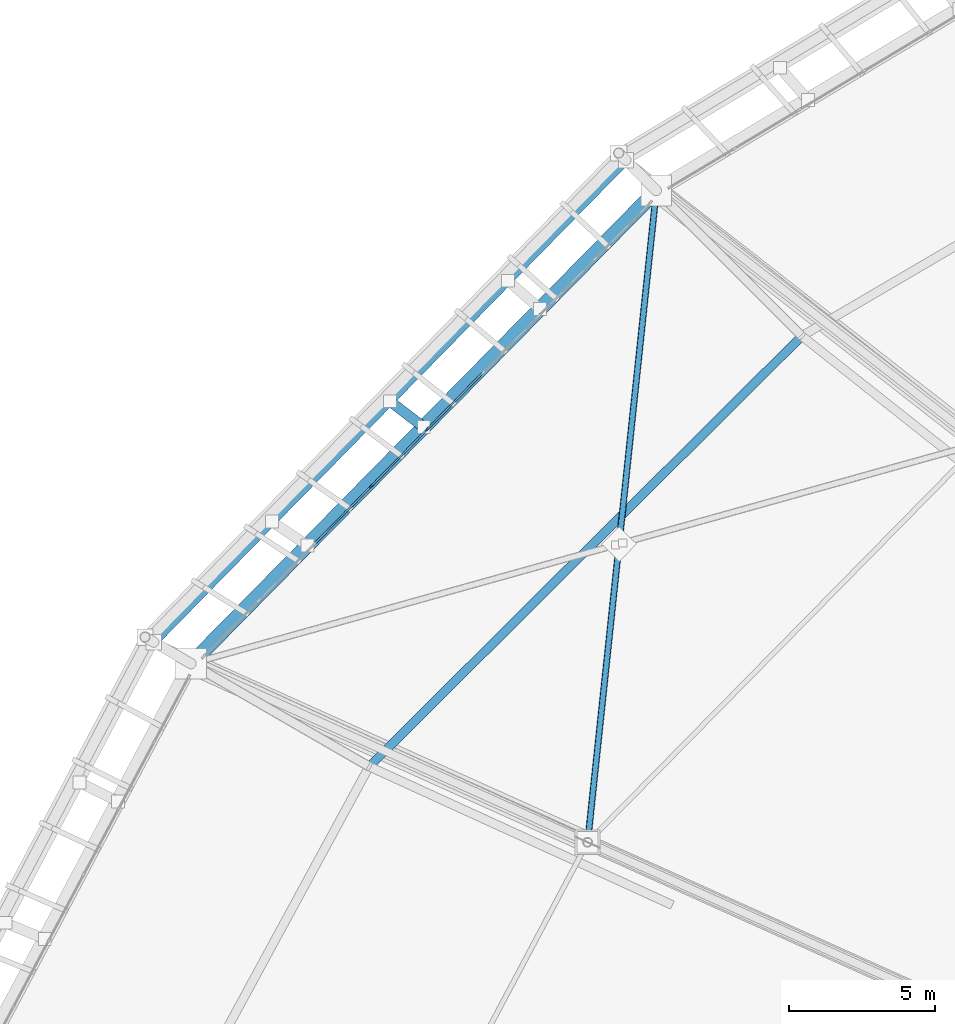
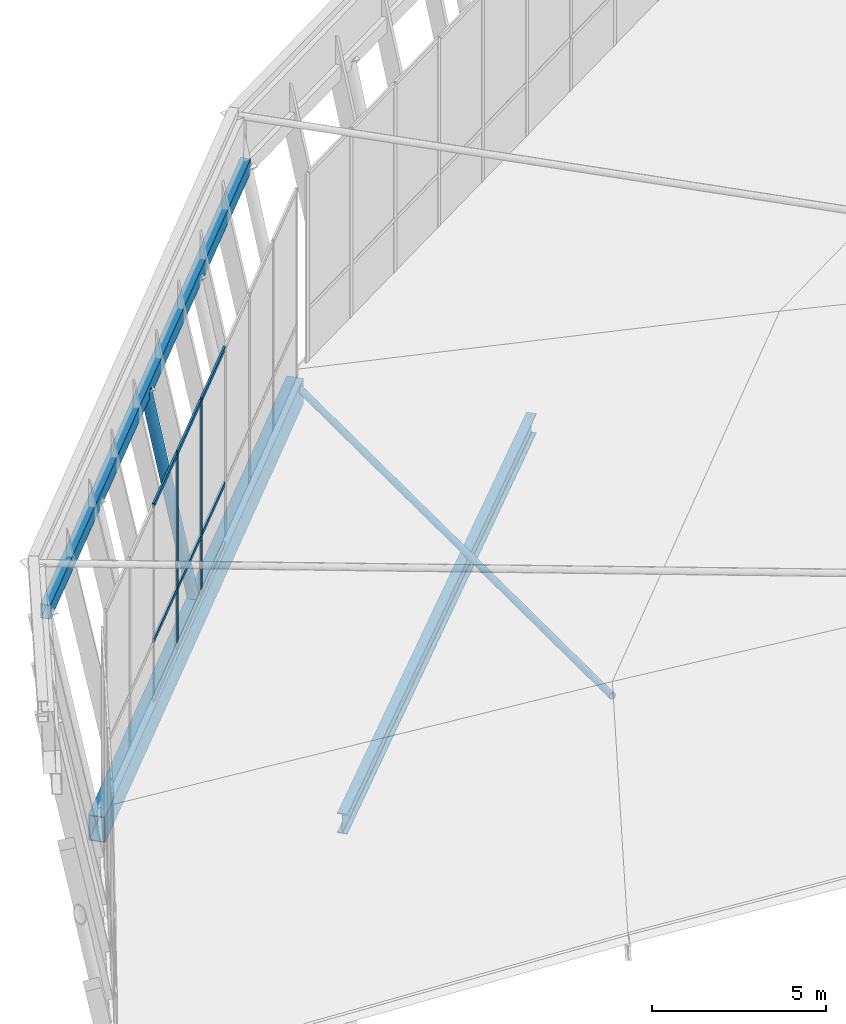
# One storey, part 29 of 115: 13 members, 3 beams, 1 element without a shape of its own.
"""IFC4 building model written with IfcOpenShell, lengths in metres."""

from ifc_helpers import new_model, si_unit, direction, frame, origin, origin_2d, place, context, subcontext, project, spatial, rectangle, hollow_rectangle, hollow_circle, i_section, extrude, material, material_profile, profile_set, type_object, element, aggregate, save


model = new_model("IFC4")

# Units and contexts
model_context = context("Model", 3, precision=1e-05, world=origin(), true_north=direction((0.0, 1.0)))
body_context = subcontext(model_context, "Body", "Model", "MODEL_VIEW")
ifc_project = project(units=[si_unit("LENGTHUNIT", "METRE"), si_unit("AREAUNIT", "SQUARE_METRE"), si_unit("VOLUMEUNIT", "CUBIC_METRE"), si_unit("PLANEANGLEUNIT", "RADIAN"), si_unit("MASSUNIT", "GRAM", prefix="KILO")], contexts=[model_context])

# Site, building, storey
site_placement = place(None, origin())
site = spatial("IfcSite", under=ifc_project, at=site_placement, CompositionType="ELEMENT")
building_placement = place(site_placement, origin())
building = spatial("IfcBuilding", under=site, at=building_placement, Name="Zlatoyarsky Gate Stadium", CompositionType="ELEMENT")
storey_placement = place(building_placement, frame((0.0, 0.0, 31.800048828125)))
storey = spatial("IfcBuildingStorey", under=building, at=storey_placement, Name="RF", CompositionType="ELEMENT", Elevation=31.800048828125)

# Curtain wall, members
ifc_material_1 = material(Name="Thermally broken anodised aluminium curtain wall", Category="aluminium")
curtain_wall_type = type_object("IfcCurtainWallType", Name="UNITISED SKYBOX RING GLAZING L05", PredefinedType="USERDEFINED", material=ifc_material_1)
curtain_wall_placement = place(storey_placement, origin())
curtain_wall = element("IfcCurtainWall", 1, at=curtain_wall_placement, inside=storey, type_object=curtain_wall_type, Name="Curtain wall CW-RF-09", ObjectType="UNITISED GLAZING", PredefinedType="USERDEFINED")
ifc_material_2 = material(Name="Anodised aluminium 6063-T6", Category="aluminium")
ifc_material_profile_1 = material_profile(ifc_material_2, rectangle(XDim=0.06494140625, YDim=0.159912109375, at=origin_2d()), Name="ALU 65X160")
ifc_profile_set_1 = profile_set([ifc_material_profile_1], Name="Anodised aluminium 6063-T6")
member_type_1 = type_object("IfcMemberType", Name="ALUMINIUM MULLION 65X160", PredefinedType="MULLION", material=ifc_profile_set_1)
member_1_placement = place(storey_placement, frame((32.431884765625, 127.00927734375, 0.0), z_axis=(0.0, 0.0, 1.0), x_axis=(0.712766053473, -0.701401848456, 0.0)))
member_1 = element("IfcMember", 2, at=member_1_placement, type_object=member_type_1, Name="CW-UG5 mullion 5", PredefinedType="MULLION", context=body_context, shape_type="SweptSolid", body=[
    extrude(rectangle(XDim=0.06494140625, YDim=0.159912109375, at=origin_2d()), origin(), (0.0, 0.0, 1.0), 6.89990234375),
])
member_2_placement = place(storey_placement, frame((30.517578125, 125.064208984375, 0.0), z_axis=(0.0, 0.0, 1.0), x_axis=(0.712766053473, -0.701401848456, 0.0)))
member_2 = element("IfcMember", 3, at=member_2_placement, type_object=member_type_1, Name="CW-UG5 mullion 6", PredefinedType="MULLION", context=body_context, shape_type="SweptSolid", body=[
    extrude(rectangle(XDim=0.06494140625, YDim=0.159912109375, at=origin_2d()), origin(), (0.0, 0.0, 1.0), 6.89990234375),
])
ifc_material_profile_2 = material_profile(ifc_material_2, rectangle(XDim=0.06494140625, YDim=0.139892578125, at=origin_2d()), Name="ALU 65X140")
ifc_profile_set_2 = profile_set([ifc_material_profile_2], Name="Anodised aluminium 6063-T6")
member_type_2 = type_object("IfcMemberType", Name="ALUMINIUM TRANSOM 65X140", PredefinedType="USERDEFINED", material=ifc_profile_set_2)
member_3_placement = place(storey_placement, frame((34.322998046875, 128.931396484375, 0.032470703125), z_axis=(-0.701355797551, -0.712811367222, 0.0), x_axis=(0.712811367222, -0.701355797551, 0.0)))
member_3 = element("IfcMember", 4, at=member_3_placement, type_object=member_type_2, Name="CW-UG5 transom 4.1", ObjectType="TRANSOM", PredefinedType="USERDEFINED", context=body_context, shape_type="SweptSolid", body=[
    extrude(rectangle(XDim=0.06494140625, YDim=0.139892578125, at=origin_2d()), origin(), (0.0, 0.0, 1.0), 2.6640625),
])
member_4_placement = place(storey_placement, frame((34.322998046875, 128.931396484375, 2.14990234375), z_axis=(-0.701355797551, -0.712811367222, 0.0), x_axis=(0.712811367222, -0.701355797551, 0.0)))
member_4 = element("IfcMember", 5, at=member_4_placement, type_object=member_type_2, Name="CW-UG5 transom 4.2", ObjectType="TRANSOM", PredefinedType="USERDEFINED", context=body_context, shape_type="SweptSolid", body=[
    extrude(rectangle(XDim=0.06494140625, YDim=0.139892578125, at=origin_2d()), origin(), (0.0, 0.0, 1.0), 2.6640625),
])
member_5_placement = place(storey_placement, frame((34.322998046875, 128.931396484375, 6.867431640625), z_axis=(-0.701355797551, -0.712811367222, 0.0), x_axis=(0.712811367222, -0.701355797551, 0.0)))
member_5 = element("IfcMember", 6, at=member_5_placement, type_object=member_type_2, Name="CW-UG5 transom 4.3", ObjectType="TRANSOM", PredefinedType="USERDEFINED", context=body_context, shape_type="SweptSolid", body=[
    extrude(rectangle(XDim=0.06494140625, YDim=0.139892578125, at=origin_2d()), origin(), (0.0, 0.0, 1.0), 2.6640625),
])
member_6_placement = place(storey_placement, frame((32.408935546875, 126.986083984375, 0.032470703125), z_axis=(-0.701401615361, -0.712766282851, 0.0), x_axis=(0.712766282851, -0.701401615361, 0.0)))
member_6 = element("IfcMember", 7, at=member_6_placement, type_object=member_type_2, Name="CW-UG5 transom 5.1", ObjectType="TRANSOM", PredefinedType="USERDEFINED", context=body_context, shape_type="SweptSolid", body=[
    extrude(rectangle(XDim=0.06494140625, YDim=0.139892578125, at=origin_2d()), origin(), (0.0, 0.0, 1.0), 2.663818359375),
])
member_7_placement = place(storey_placement, frame((32.408935546875, 126.986083984375, 2.14990234375), z_axis=(-0.701401615361, -0.712766282851, 0.0), x_axis=(0.712766282851, -0.701401615361, 0.0)))
member_7 = element("IfcMember", 8, at=member_7_placement, type_object=member_type_2, Name="CW-UG5 transom 5.2", ObjectType="TRANSOM", PredefinedType="USERDEFINED", context=body_context, shape_type="SweptSolid", body=[
    extrude(rectangle(XDim=0.06494140625, YDim=0.139892578125, at=origin_2d()), origin(), (0.0, 0.0, 1.0), 2.663818359375),
])
member_8_placement = place(storey_placement, frame((32.408935546875, 126.986083984375, 6.867431640625), z_axis=(-0.701401615361, -0.712766282851, 0.0), x_axis=(0.712766282851, -0.701401615361, 0.0)))
member_8 = element("IfcMember", 9, at=member_8_placement, type_object=member_type_2, Name="CW-UG5 transom 5.3", ObjectType="TRANSOM", PredefinedType="USERDEFINED", context=body_context, shape_type="SweptSolid", body=[
    extrude(rectangle(XDim=0.06494140625, YDim=0.139892578125, at=origin_2d()), origin(), (0.0, 0.0, 1.0), 2.663818359375),
])
member_9_placement = place(storey_placement, frame((30.494873046875, 125.041015625, 0.032470703125), z_axis=(-0.701401615361, -0.712766282851, 0.0), x_axis=(0.712766282851, -0.701401615361, 0.0)))
member_9 = element("IfcMember", 10, at=member_9_placement, type_object=member_type_2, Name="CW-UG5 transom 6.1", ObjectType="TRANSOM", PredefinedType="USERDEFINED", context=body_context, shape_type="SweptSolid", body=[
    extrude(rectangle(XDim=0.06494140625, YDim=0.139892578125, at=origin_2d()), origin(), (0.0, 0.0, 1.0), 2.663818359375),
])
member_10_placement = place(storey_placement, frame((30.494873046875, 125.041015625, 2.14990234375), z_axis=(-0.701401615361, -0.712766282851, 0.0), x_axis=(0.712766282851, -0.701401615361, 0.0)))
member_10 = element("IfcMember", 11, at=member_10_placement, type_object=member_type_2, Name="CW-UG5 transom 6.2", ObjectType="TRANSOM", PredefinedType="USERDEFINED", context=body_context, shape_type="SweptSolid", body=[
    extrude(rectangle(XDim=0.06494140625, YDim=0.139892578125, at=origin_2d()), origin(), (0.0, 0.0, 1.0), 2.663818359375),
])
member_11_placement = place(storey_placement, frame((30.494873046875, 125.041015625, 6.867431640625), z_axis=(-0.701401615361, -0.712766282851, 0.0), x_axis=(0.712766282851, -0.701401615361, 0.0)))
member_11 = element("IfcMember", 12, at=member_11_placement, type_object=member_type_2, Name="CW-UG5 transom 6.3", ObjectType="TRANSOM", PredefinedType="USERDEFINED", context=body_context, shape_type="SweptSolid", body=[
    extrude(rectangle(XDim=0.06494140625, YDim=0.139892578125, at=origin_2d()), origin(), (0.0, 0.0, 1.0), 2.663818359375),
])
aggregate(curtain_wall, [member_1, member_2, member_3, member_4, member_5, member_6, member_7, member_8, member_9, member_10, member_11])

# Members
ifc_material_3 = material(Name="Steel S355", Category="steel")
ifc_material_profile_3 = material_profile(ifc_material_3, hollow_circle(Radius=0.109619140625, WallThickness=0.012451171875, at=origin_2d()), Name="CHS 219.1X12.5")
ifc_profile_set_3 = profile_set([ifc_material_profile_3], Name="Steel S355")
member_type_3 = type_object("IfcMemberType", Name="STEEL CANOPY WIND BRACE CHS 219.1X12.5", PredefinedType="BRACE", material=ifc_profile_set_3)
member_12_placement = place(storey_placement, frame((40.269775390625, 135.173828125, -0.25), z_axis=(-0.103697098794, -0.983208511637, 0.150159696143), x_axis=(0.994484217416, -0.104886325659, 0.0)))
element("IfcMember", 13, at=member_12_placement, inside=storey, type_object=member_type_3, Name="Roof wind X-brace continuous diagonal 09", PredefinedType="BRACE", context=body_context, shape_type="SweptSolid", body=[
    extrude(hollow_circle(Radius=0.109619140625, WallThickness=0.012451171875, at=origin_2d()), origin(), (0.0, 0.0, 1.0), 22.641845703125),
])
ifc_material_profile_4 = material_profile(ifc_material_3, hollow_circle(Radius=0.177734375, WallThickness=0.02001953125, at=origin_2d()), Name="CHS 355.6X20")
ifc_profile_set_4 = profile_set([ifc_material_profile_4], Name="Steel S355")
member_type_4 = type_object("IfcMemberType", Name="STEEL LEANING RIB RING STRUT CHS 355.6X20", PredefinedType="STRUT", material=ifc_profile_set_4)
member_13_placement = place(storey_placement, frame((32.32177734375, 127.09375, -0.449951171875), z_axis=(-0.14920522339, 0.114498996761, 0.982154662491), x_axis=(-0.608794232093, -0.793328168522, 0.0)))
element("IfcMember", 14, at=member_13_placement, inside=storey, type_object=member_type_4, Name="Outward-leaning bowl louvre fin rib RF 09-2", PredefinedType="STRUT", context=body_context, shape_type="SweptSolid", body=[
    extrude(hollow_circle(Radius=0.177734375, WallThickness=0.02001953125, at=origin_2d()), origin(), (0.0, 0.0, 1.0), 7.738037109375),
])

# Beams
ifc_material_profile_5 = material_profile(ifc_material_3, hollow_rectangle(XDim=0.300048828125, YDim=0.5, WallThickness=0.02001953125, at=origin_2d()), Name="RHS 500X300X20")
ifc_profile_set_5 = profile_set([ifc_material_profile_5], Name="Steel S355")
beam_type_1 = type_object("IfcBeamType", Name="STEEL LOUVRE CARRIER SPANDREL RHS 500X300X20", PredefinedType="SPANDREL", material=ifc_profile_set_5)
beam_1_placement = place(storey_placement, frame((39.23193359375, 136.211669921875, 7.14990234375), z_axis=(-0.699808295725, -0.714330700191, 0.0), x_axis=(0.714330700191, -0.699808295725, 0.0)))
element("IfcBeam", 15, at=beam_1_placement, inside=storey, type_object=beam_type_1, Name="Crown eaves fascia bottom carrier spandrel 09", PredefinedType="SPANDREL", context=body_context, shape_type="SweptSolid", body=[
    extrude(hollow_rectangle(XDim=0.300048828125, YDim=0.5, WallThickness=0.02001953125, at=origin_2d()), origin(), (0.0, 0.0, 1.0), 23.04833984375),
])
ifc_material_profile_6 = material_profile(ifc_material_3, hollow_rectangle(XDim=0.5, YDim=0.89990234375, WallThickness=0.028076171875, at=origin_2d()), Name="RHS 900X500X28")
ifc_profile_set_6 = profile_set([ifc_material_profile_6], Name="Steel S355")
beam_type_2 = type_object("IfcBeamType", Name="STEEL OUTER COMPRESSION RING BEAM RHS 900X500X28", PredefinedType="USERDEFINED", material=ifc_profile_set_6)
beam_2_placement = place(storey_placement, frame((40.269775390625, 135.173828125, -0.449951171875), z_axis=(-0.701266884869, -0.712898840079, 0.0), x_axis=(0.712898840079, -0.701266884869, 0.0)))
element("IfcBeam", 16, at=beam_2_placement, inside=storey, type_object=beam_type_2, Name="Outer compression ring beam 09", ObjectType="RING BEAM", PredefinedType="USERDEFINED", context=body_context, shape_type="SweptSolid", body=[
    extrude(hollow_rectangle(XDim=0.5, YDim=0.89990234375, WallThickness=0.028076171875, at=origin_2d()), origin(), (0.0, 0.0, 1.0), 22.66796875),
])
ifc_material_profile_7 = material_profile(ifc_material_3, i_section(OverallWidth=0.300048828125, OverallDepth=0.699951171875, WebThickness=0.01708984375, FlangeThickness=0.031982421875, FilletRadius=0.027099609375, at=origin_2d()), Name="HEB 700")
ifc_profile_set_7 = profile_set([ifc_material_profile_7], Name="Steel S355")
beam_type_3 = type_object("IfcBeamType", Name="STEEL ROOF RING GIRDER HEB 700", PredefinedType="BEAM", material=ifc_profile_set_7)
beam_3_placement = place(storey_placement, frame((45.210693359375, 130.176513671875, -0.300048828125), z_axis=(-0.708897206107, -0.70531181131, 0.0), x_axis=(0.70531181131, -0.708897206107, 0.0)))
element("IfcBeam", 17, at=beam_3_placement, inside=storey, type_object=beam_type_3, Name="RF roof tie girder BM-RF-CRC-09", PredefinedType="BEAM", context=body_context, shape_type="SweptSolid", body=[
    extrude(i_section(OverallWidth=0.300048828125, OverallDepth=0.699951171875, WebThickness=0.01708984375, FlangeThickness=0.031982421875, FilletRadius=0.027099609375, at=origin_2d()), origin(), (0.0, 0.0, 1.0), 20.768310546875),
])

save(model, "model.ifc")
